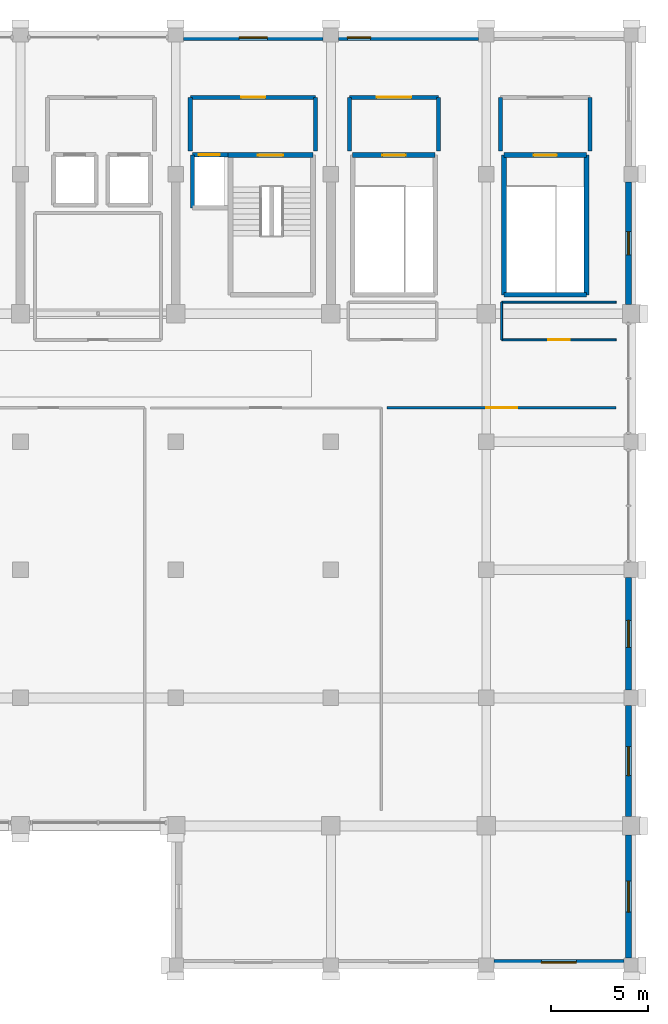
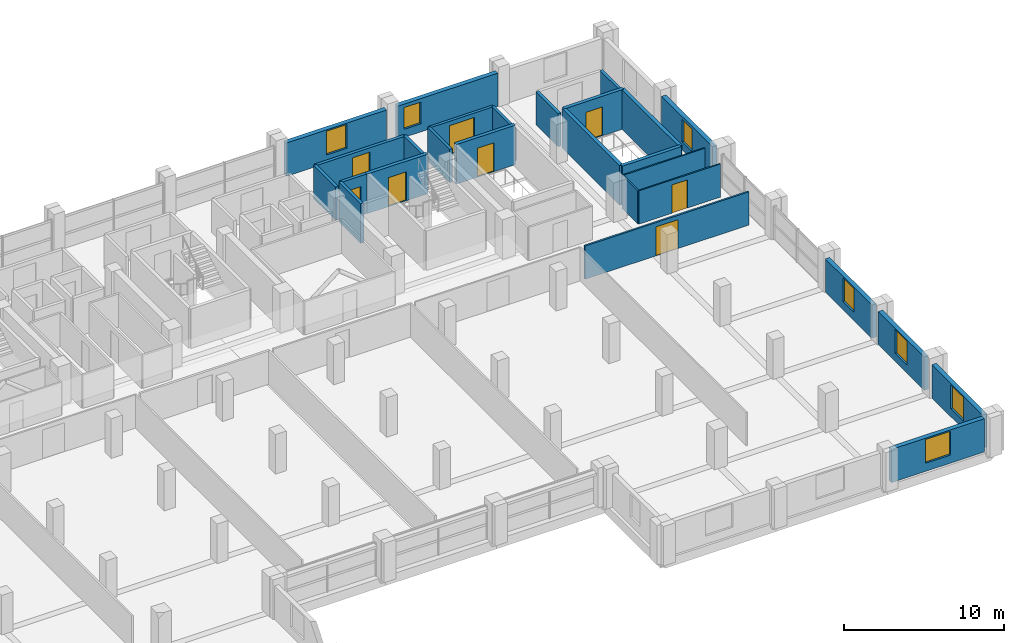
# One storey, part 19 of 21: 27 walls, 8 doors, 7 windows, 15 openings.
"""IFC4 building model written with IfcOpenShell, lengths in metres."""

from ifc_helpers import new_model, si_unit, direction, frame, frame_2d, origin, place, context, subcontext, project, spatial, rectangle, extrude, material, layer, layer_set, type_object, element, fill, save


model = new_model("IFC4")

# Units and contexts
model_context = context("Model", 3, precision=1e-05, world=origin(), true_north=direction((0.0, 1.0)))
body_context = subcontext(model_context, "Body", "Model", "MODEL_VIEW")
ifc_project = project(units=[si_unit("LENGTHUNIT", "METRE"), si_unit("AREAUNIT", "SQUARE_METRE"), si_unit("VOLUMEUNIT", "CUBIC_METRE"), si_unit("PLANEANGLEUNIT", "RADIAN"), si_unit("MASSUNIT", "GRAM", prefix="KILO")], contexts=[model_context])

# Site, building, storey
site_placement = place(None, origin())
site = spatial("IfcSite", under=ifc_project, at=site_placement, CompositionType="ELEMENT")
building_placement = place(site_placement, origin())
building = spatial("IfcBuilding", under=site, at=building_placement, Name="Akrevak Sports Hall", CompositionType="ELEMENT")
storey_placement = place(building_placement, frame((0.0, 0.0, 37.300048828125)))
storey = spatial("IfcBuildingStorey", under=building, at=storey_placement, Name="L08", CompositionType="ELEMENT", Elevation=37.300048828125)

# Wall, opening, window
ifc_material_1 = material(Name="Limestone Ashlar", Category="stone")
ifc_layer_1 = layer(ifc_material_1, 0.070068359375, Name="Limestone Ashlar")
ifc_material_2 = material(Name="Mineral Wool Thermal Insulation", Category="insulation")
ifc_layer_2 = layer(ifc_material_2, 0.090087890625, Name="Mineral Wool Thermal Insulation")
ifc_material_3 = material(Name="Concrete C40/50", Category="concrete")
ifc_layer_3 = layer(ifc_material_3, 0.159912109375, Name="Concrete C40/50")
ifc_layer_set_1 = layer_set([ifc_layer_1, ifc_layer_2, ifc_layer_3], Name="Limestone Ashlar / Mineral Wool Thermal Insulation / Concrete C40/50")
wall_type_1 = type_object("IfcWallType", Name="ARC-WL-EXT-320", PredefinedType="SOLIDWALL", material=ifc_layer_set_1)
wall_1_placement = place(storey_placement, frame((108.39990234375, 21.760009765625, 0.0), z_axis=(0.0, 0.0, 1.0), x_axis=(1.0, 0.0, 0.0)))
wall_1 = element("IfcWall", 1, at=wall_1_placement, inside=storey, type_object=wall_type_1, Name="Tower Stone Facade Wall L08-S11", PredefinedType="SOLIDWALL", context=body_context, shape_type="SweptSolid", body=[
    extrude(rectangle(XDim=6.7001953125, YDim=0.320068359375, at=frame_2d((3.35009765625, 0.0))), origin(), (0.0, 0.0, 1.0), 2.530029296875),
])
opening_1_placement = place(wall_1_placement, frame((2.449951171875, 0.0, 0.6201171875)))
opening_1 = element("IfcOpeningElement", 2, at=opening_1_placement, cuts=wall_1, Name="Opening WN-54", PredefinedType="OPENING", context=body_context, shape_type="SweptSolid", body=[
    extrude(rectangle(XDim=1.800048828125, YDim=1.81005859375, at=frame_2d((0.89990234375, 0.905029296875))), frame((0.0, 0.171875, 0.0), z_axis=(0.0, -1.0, 0.0), x_axis=(1.0, 0.0, 0.0)), (0.0, 0.0, 1.0), 0.343994140625),
])
ifc_material_4 = material(Name="Thermally Broken Bronze Frame & Double Low-E Glass", Category="glass")
window_type_1 = type_object("IfcWindowType", Name="ARC-WIN-SZ-1800x1810", PartitioningType="SINGLE_PANEL", PredefinedType="WINDOW", material=ifc_material_4)
window_1_placement = place(opening_1_placement, origin())
window_1 = element("IfcWindow", 3, at=window_1_placement, inside=storey, type_object=window_type_1, Name="Tower Window L08-S11", OverallHeight=1.81005859375, OverallWidth=1.800048828125, PartitioningType="SINGLE_PANEL", PredefinedType="WINDOW", context=body_context, shape_type="SweptSolid", body=[
    extrude(rectangle(XDim=1.800048828125, YDim=1.81005859375, at=frame_2d((0.89990234375, 0.905029296875))), frame((0.0, 0.030029296875, 0.0), z_axis=(0.0, -1.0, 0.0), x_axis=(1.0, 0.0, 0.0)), (0.0, 0.0, 1.0), 0.06005859375),
])
fill(opening_1, window_1)

wall_2_placement = place(storey_placement, frame((115.340087890625, 22.0, 0.0), z_axis=(0.0, 0.0, 1.0), x_axis=(0.0, 1.0, 0.0)))
wall_2 = element("IfcWall", 4, at=wall_2_placement, inside=storey, type_object=wall_type_1, Name="Tower Stone Facade Wall L08-E12", PredefinedType="SOLIDWALL", context=body_context, shape_type="SweptSolid", body=[
    extrude(rectangle(XDim=6.324951171875, YDim=0.320068359375, at=frame_2d((3.16259765625, 0.0))), origin(), (0.0, 0.0, 1.0), 2.530029296875),
])
opening_2_placement = place(wall_2_placement, frame((2.362548828125, 0.0, 0.6201171875)))
opening_2 = element("IfcOpeningElement", 5, at=opening_2_placement, cuts=wall_2, Name="Opening WN-57", PredefinedType="OPENING", context=body_context, shape_type="SweptSolid", body=[
    extrude(rectangle(XDim=1.60009765625, YDim=1.81005859375, at=frame_2d((0.800048828125, 0.905029296875))), frame((0.0, 0.171875, 0.0), z_axis=(0.0, -1.0, 0.0), x_axis=(1.0, 0.0, 0.0)), (0.0, 0.0, 1.0), 0.343994140625),
])
window_type_2 = type_object("IfcWindowType", Name="ARC-WIN-SZ-1600x1810", PartitioningType="SINGLE_PANEL", PredefinedType="WINDOW", material=ifc_material_4)
window_2_placement = place(opening_2_placement, origin())
window_2 = element("IfcWindow", 6, at=window_2_placement, inside=storey, type_object=window_type_2, Name="Tower Window L08-E12", OverallHeight=1.81005859375, OverallWidth=1.60009765625, PartitioningType="SINGLE_PANEL", PredefinedType="WINDOW", context=body_context, shape_type="SweptSolid", body=[
    extrude(rectangle(XDim=1.60009765625, YDim=1.81005859375, at=frame_2d((0.800048828125, 0.905029296875))), frame((0.0, 0.030029296875, 0.0), z_axis=(0.0, -1.0, 0.0), x_axis=(1.0, 0.0, 0.0)), (0.0, 0.0, 1.0), 0.06005859375),
])
fill(opening_2, window_2)

wall_3_placement = place(storey_placement, frame((115.340087890625, 29.27490234375, 0.0), z_axis=(0.0, 0.0, 1.0), x_axis=(0.0, 1.0, 0.0)))
wall_3 = element("IfcWall", 7, at=wall_3_placement, inside=storey, type_object=wall_type_1, Name="Tower Stone Facade Wall L08-E13", PredefinedType="SOLIDWALL", context=body_context, shape_type="SweptSolid", body=[
    extrude(rectangle(XDim=5.72509765625, YDim=0.320068359375, at=frame_2d((2.862548828125, 0.0))), origin(), (0.0, 0.0, 1.0), 2.530029296875),
])
opening_3_placement = place(wall_3_placement, frame((2.112548828125, 0.0, 0.6201171875)))
opening_3 = element("IfcOpeningElement", 8, at=opening_3_placement, cuts=wall_3, Name="Opening WN-48", PredefinedType="OPENING", context=body_context, shape_type="SweptSolid", body=[
    extrude(rectangle(XDim=1.5, YDim=1.81005859375, at=frame_2d((0.75, 0.905029296875))), frame((0.0, 0.171875, 0.0), z_axis=(0.0, -1.0, 0.0), x_axis=(1.0, 0.0, 0.0)), (0.0, 0.0, 1.0), 0.343994140625),
])
window_type_3 = type_object("IfcWindowType", Name="ARC-WIN-SZ-1500x1810", PartitioningType="SINGLE_PANEL", PredefinedType="WINDOW", material=ifc_material_4)
window_3_placement = place(opening_3_placement, origin())
window_3 = element("IfcWindow", 9, at=window_3_placement, inside=storey, type_object=window_type_3, Name="Tower Window L08-E13", OverallHeight=1.81005859375, OverallWidth=1.5, PartitioningType="SINGLE_PANEL", PredefinedType="WINDOW", context=body_context, shape_type="SweptSolid", body=[
    extrude(rectangle(XDim=1.5, YDim=1.81005859375, at=frame_2d((0.75, 0.905029296875))), frame((0.0, 0.030029296875, 0.0), z_axis=(0.0, -1.0, 0.0), x_axis=(1.0, 0.0, 0.0)), (0.0, 0.0, 1.0), 0.06005859375),
])
fill(opening_3, window_3)

wall_4_placement = place(storey_placement, frame((115.340087890625, 35.800048828125, 0.0), z_axis=(0.0, 0.0, 1.0), x_axis=(0.0, 1.0, 0.0)))
wall_4 = element("IfcWall", 10, at=wall_4_placement, inside=storey, type_object=wall_type_1, Name="Tower Stone Facade Wall L08-E14", PredefinedType="SOLIDWALL", context=body_context, shape_type="SweptSolid", body=[
    extrude(rectangle(XDim=5.800048828125, YDim=0.320068359375, at=frame_2d((2.89990234375, 0.0))), origin(), (0.0, 0.0, 1.0), 2.530029296875),
])
opening_4_placement = place(wall_4_placement, frame((2.199951171875, 0.0, 0.6201171875)))
opening_4 = element("IfcOpeningElement", 11, at=opening_4_placement, cuts=wall_4, Name="Opening WN-49", PredefinedType="OPENING", context=body_context, shape_type="SweptSolid", body=[
    extrude(rectangle(XDim=1.39990234375, YDim=1.81005859375, at=frame_2d((0.699951171875, 0.905029296875))), frame((0.0, 0.171875, 0.0), z_axis=(0.0, -1.0, 0.0), x_axis=(1.0, 0.0, 0.0)), (0.0, 0.0, 1.0), 0.343994140625),
])
window_type_4 = type_object("IfcWindowType", Name="ARC-WIN-SZ-1400x1810", PartitioningType="SINGLE_PANEL", PredefinedType="WINDOW", material=ifc_material_4)
window_4_placement = place(opening_4_placement, origin())
window_4 = element("IfcWindow", 12, at=window_4_placement, inside=storey, type_object=window_type_4, Name="Tower Window L08-E14", OverallHeight=1.81005859375, OverallWidth=1.39990234375, PartitioningType="SINGLE_PANEL", PredefinedType="WINDOW", context=body_context, shape_type="SweptSolid", body=[
    extrude(rectangle(XDim=1.39990234375, YDim=1.81005859375, at=frame_2d((0.699951171875, 0.905029296875))), frame((0.0, 0.030029296875, 0.0), z_axis=(0.0, -1.0, 0.0), x_axis=(1.0, 0.0, 0.0)), (0.0, 0.0, 1.0), 0.06005859375),
])
fill(opening_4, window_4)

wall_5_placement = place(storey_placement, frame((115.340087890625, 55.675048828125, 0.0), z_axis=(0.0, 0.0, 1.0), x_axis=(0.0, 1.0, 0.0)))
wall_5 = element("IfcWall", 13, at=wall_5_placement, inside=storey, type_object=wall_type_1, Name="Tower Stone Facade Wall L08-E17", PredefinedType="SOLIDWALL", context=body_context, shape_type="SweptSolid", body=[
    extrude(rectangle(XDim=6.324951171875, YDim=0.320068359375, at=frame_2d((3.16259765625, 0.0))), origin(), (0.0, 0.0, 1.0), 2.530029296875),
])
opening_5_placement = place(wall_5_placement, frame((2.5625, 0.0, 0.6201171875)))
opening_5 = element("IfcOpeningElement", 14, at=opening_5_placement, cuts=wall_5, Name="Opening WN-13", PredefinedType="OPENING", context=body_context, shape_type="SweptSolid", body=[
    extrude(rectangle(XDim=1.199951171875, YDim=1.699951171875, at=frame_2d((0.60009765625, 0.85009765625))), frame((0.0, 0.171875, 0.0), z_axis=(0.0, -1.0, 0.0), x_axis=(1.0, 0.0, 0.0)), (0.0, 0.0, 1.0), 0.343994140625),
])
window_type_5 = type_object("IfcWindowType", Name="ARC-WIN-TW-120x170", PartitioningType="SINGLE_PANEL", PredefinedType="WINDOW", material=ifc_material_4)
window_5_placement = place(opening_5_placement, origin())
window_5 = element("IfcWindow", 15, at=window_5_placement, inside=storey, type_object=window_type_5, Name="Tower Window L08-E17", OverallHeight=1.699951171875, OverallWidth=1.199951171875, PartitioningType="SINGLE_PANEL", PredefinedType="WINDOW", context=body_context, shape_type="SweptSolid", body=[
    extrude(rectangle(XDim=1.199951171875, YDim=1.699951171875, at=frame_2d((0.60009765625, 0.85009765625))), frame((0.0, 0.030029296875, 0.0), z_axis=(0.0, -1.0, 0.0), x_axis=(1.0, 0.0, 0.0)), (0.0, 0.0, 1.0), 0.06005859375),
])
fill(opening_5, window_5)

wall_6_placement = place(storey_placement, frame((107.60009765625, 69.43994140625, 0.0), z_axis=(0.0, 0.0, 1.0), x_axis=(-1.0, 0.0, 0.0)))
wall_6 = element("IfcWall", 16, at=wall_6_placement, inside=storey, type_object=wall_type_1, Name="Tower Stone Facade Wall L08-N20", PredefinedType="SOLIDWALL", context=body_context, shape_type="SweptSolid", body=[
    extrude(rectangle(XDim=7.2001953125, YDim=0.320068359375, at=frame_2d((3.60009765625, 0.0))), origin(), (0.0, 0.0, 1.0), 2.530029296875),
])
opening_6_placement = place(wall_6_placement, frame((5.550048828125, 0.0, 0.6201171875)))
opening_6 = element("IfcOpeningElement", 17, at=opening_6_placement, cuts=wall_6, Name="Opening WN-45", PredefinedType="OPENING", context=body_context, shape_type="SweptSolid", body=[
    extrude(rectangle(XDim=1.199951171875, YDim=1.64990234375, at=frame_2d((0.60009765625, 0.824951171875))), frame((0.0, 0.171875, 0.0), z_axis=(0.0, -1.0, 0.0), x_axis=(1.0, 0.0, 0.0)), (0.0, 0.0, 1.0), 0.343994140625),
])
window_type_6 = type_object("IfcWindowType", Name="ARC-WIN-SZ-1200x1650", PartitioningType="SINGLE_PANEL", PredefinedType="WINDOW", material=ifc_material_4)
window_6_placement = place(opening_6_placement, origin())
window_6 = element("IfcWindow", 18, at=window_6_placement, inside=storey, type_object=window_type_6, Name="Tower Window L08-N20", OverallHeight=1.64990234375, OverallWidth=1.199951171875, PartitioningType="SINGLE_PANEL", PredefinedType="WINDOW", context=body_context, shape_type="SweptSolid", body=[
    extrude(rectangle(XDim=1.199951171875, YDim=1.64990234375, at=frame_2d((0.60009765625, 0.824951171875))), frame((0.0, 0.030029296875, 0.0), z_axis=(0.0, -1.0, 0.0), x_axis=(1.0, 0.0, 0.0)), (0.0, 0.0, 1.0), 0.06005859375),
])
fill(opening_6, window_6)

wall_7_placement = place(storey_placement, frame((99.60009765625, 69.43994140625, 0.0), z_axis=(0.0, 0.0, 1.0), x_axis=(-1.0, 0.0, 0.0)))
wall_7 = element("IfcWall", 19, at=wall_7_placement, inside=storey, type_object=wall_type_1, Name="Tower Stone Facade Wall L08-N21", PredefinedType="SOLIDWALL", context=body_context, shape_type="SweptSolid", body=[
    extrude(rectangle(XDim=7.2001953125, YDim=0.320068359375, at=frame_2d((3.60009765625, 0.0))), origin(), (0.0, 0.0, 1.0), 2.530029296875),
])
opening_7_placement = place(wall_7_placement, frame((2.875, 0.0, 0.6201171875)))
opening_7 = element("IfcOpeningElement", 20, at=opening_7_placement, cuts=wall_7, Name="Opening WN-51", PredefinedType="OPENING", context=body_context, shape_type="SweptSolid", body=[
    extrude(rectangle(XDim=1.449951171875, YDim=1.81005859375, at=frame_2d((0.72509765625, 0.905029296875))), frame((0.0, 0.171875, 0.0), z_axis=(0.0, -1.0, 0.0), x_axis=(1.0, 0.0, 0.0)), (0.0, 0.0, 1.0), 0.343994140625),
])
window_type_7 = type_object("IfcWindowType", Name="ARC-WIN-SZ-1450x1810", PartitioningType="SINGLE_PANEL", PredefinedType="WINDOW", material=ifc_material_4)
window_7_placement = place(opening_7_placement, origin())
window_7 = element("IfcWindow", 21, at=window_7_placement, inside=storey, type_object=window_type_7, Name="Tower Window L08-N21", OverallHeight=1.81005859375, OverallWidth=1.449951171875, PartitioningType="SINGLE_PANEL", PredefinedType="WINDOW", context=body_context, shape_type="SweptSolid", body=[
    extrude(rectangle(XDim=1.449951171875, YDim=1.81005859375, at=frame_2d((0.72509765625, 0.905029296875))), frame((0.0, 0.030029296875, 0.0), z_axis=(0.0, -1.0, 0.0), x_axis=(1.0, 0.0, 0.0)), (0.0, 0.0, 1.0), 0.06005859375),
])
fill(opening_7, window_7)

# Wall, opening, door
ifc_material_5 = material(Name="Sanitary Cubicle Partition", Category="gypsum")
ifc_layer_4 = layer(ifc_material_5, 0.10009765625, Name="Sanitary Cubicle Partition")
ifc_layer_set_2 = layer_set([ifc_layer_4], Name="Sanitary Cubicle Partition")
wall_type_2 = type_object("IfcWallType", Name="ARC-WL-PRT-100", PredefinedType="PARTITIONING", material=ifc_layer_set_2)
wall_8_placement = place(storey_placement, frame((108.800048828125, 53.85009765625, 0.0), z_axis=(0.0, 0.0, 1.0), x_axis=(1.0, 0.0, 0.0)))
wall_8 = element("IfcWall", 22, at=wall_8_placement, inside=storey, type_object=wall_type_2, Name="Interior Partition International Athletics Office L08-E3 (S)", PredefinedType="PARTITIONING", context=body_context, shape_type="SweptSolid", body=[
    extrude(rectangle(XDim=5.89990234375, YDim=0.10009765625, at=frame_2d((2.949951171875, 0.0))), origin(), (0.0, 0.0, 1.0), 2.530029296875),
])
opening_8_placement = place(wall_8_placement, frame((2.39990234375, 0.0, 0.0)))
opening_8 = element("IfcOpeningElement", 23, at=opening_8_placement, cuts=wall_8, Name="Opening ID-04", PredefinedType="OPENING", context=body_context, shape_type="SweptSolid", body=[
    extrude(rectangle(XDim=1.10009765625, YDim=2.14990234375, at=frame_2d((0.550048828125, 1.074951171875))), frame((0.0, 0.06201171875, 0.0), z_axis=(0.0, -1.0, 0.0), x_axis=(1.0, 0.0, 0.0)), (0.0, 0.0, 1.0), 0.1240234375),
])
ifc_material_6 = material(Name="Hardwood Oak Acoustic Leaf", Category="wood")
door_type_1 = type_object("IfcDoorType", Name="ARC-DR-OFF-110x215", OperationType="NOTDEFINED", PredefinedType="DOOR", material=ifc_material_6)
door_1_placement = place(opening_8_placement, origin())
door_1 = element("IfcDoor", 24, at=door_1_placement, inside=storey, type_object=door_type_1, Name="Door to International Athletics Office L08-E3", OperationType="SINGLE_SWING_LEFT", OverallHeight=2.14990234375, OverallWidth=1.10009765625, PredefinedType="DOOR", context=body_context, shape_type="SweptSolid", body=[
    extrude(rectangle(XDim=1.10009765625, YDim=2.14990234375, at=frame_2d((0.550048828125, 1.074951171875))), frame((0.0, 0.02490234375, 0.0), z_axis=(0.0, -1.0, 0.0), x_axis=(1.0, 0.0, 0.0)), (0.0, 0.0, 1.0), 0.050048828125),
])
fill(opening_8, door_1)

# Walls
wall_9_placement = place(storey_placement, frame((108.800048828125, 55.800048828125, 0.0), z_axis=(0.0, 0.0, 1.0), x_axis=(1.0, 0.0, 0.0)))
element("IfcWall", 25, at=wall_9_placement, inside=storey, type_object=wall_type_2, Name="Interior Partition International Athletics Office L08-E3 (N)", PredefinedType="PARTITIONING", context=body_context, shape_type="SweptSolid", body=[
    extrude(rectangle(XDim=5.89990234375, YDim=0.10009765625, at=frame_2d((2.949951171875, 0.0))), origin(), (0.0, 0.0, 1.0), 2.530029296875),
])
wall_10_placement = place(storey_placement, frame((108.800048828125, 53.85009765625, 0.0), z_axis=(0.0, 0.0, 1.0), x_axis=(0.0, 1.0, 0.0)))
element("IfcWall", 26, at=wall_10_placement, inside=storey, type_object=wall_type_2, Name="Interior Partition International Athletics Office L08-E3 (W)", PredefinedType="PARTITIONING", context=body_context, shape_type="SweptSolid", body=[
    extrude(rectangle(XDim=1.949951171875, YDim=0.10009765625, at=frame_2d((0.97509765625, 0.0))), origin(), (0.0, 0.0, 1.0), 2.530029296875),
])

# Wall, opening, door
ifc_material_7 = material(Name="Acoustic Metal Stud Partition", Category="gypsum")
ifc_layer_5 = layer(ifc_material_7, 0.1298828125, Name="Acoustic Metal Stud Partition")
ifc_layer_set_3 = layer_set([ifc_layer_5], Name="Acoustic Metal Stud Partition")
wall_type_3 = type_object("IfcWallType", Name="ARC-WL-PRT-130", PredefinedType="PARTITIONING", material=ifc_layer_set_3)
wall_11_placement = place(storey_placement, frame((102.89990234375, 50.35009765625, 0.0), z_axis=(0.0, 0.0, 1.0), x_axis=(1.0, 0.0, 0.0)))
wall_11 = element("IfcWall", 27, at=wall_11_placement, inside=storey, type_object=wall_type_3, Name="Interior Partition Executive Board Conference Room (L08) (N)", PredefinedType="PARTITIONING", context=body_context, shape_type="SweptSolid", body=[
    extrude(rectangle(XDim=11.800048828125, YDim=0.1298828125, at=frame_2d((5.89990234375, 0.0))), origin(), (0.0, 0.0, 1.0), 2.530029296875),
])
opening_9_placement = place(wall_11_placement, frame((5.10009765625, 0.0, 0.0)))
opening_9 = element("IfcOpeningElement", 28, at=opening_9_placement, cuts=wall_11, Name="Opening ID-03", PredefinedType="OPENING", context=body_context, shape_type="SweptSolid", body=[
    extrude(rectangle(XDim=1.60009765625, YDim=2.199951171875, at=frame_2d((0.800048828125, 1.10009765625))), frame((0.0, 0.076904296875, 0.0), z_axis=(0.0, -1.0, 0.0), x_axis=(1.0, 0.0, 0.0)), (0.0, 0.0, 1.0), 0.15380859375),
])
ifc_material_8 = material(Name="Hardwood Oak & Safety Glass", Category="wood")
door_type_2 = type_object("IfcDoorType", Name="ARC-DR-HALL-160x220", OperationType="DOUBLE_DOOR_SINGLE_SWING", PredefinedType="DOOR", material=ifc_material_8)
door_2_placement = place(opening_9_placement, origin())
door_2 = element("IfcDoor", 29, at=door_2_placement, inside=storey, type_object=door_type_2, Name="Door to Executive Board Conference Room (L08)", OperationType="DOUBLE_DOOR_SINGLE_SWING", OverallHeight=2.199951171875, OverallWidth=1.60009765625, PredefinedType="DOOR", context=body_context, shape_type="SweptSolid", body=[
    extrude(rectangle(XDim=1.60009765625, YDim=2.199951171875, at=frame_2d((0.800048828125, 1.10009765625))), frame((0.0, 0.02490234375, 0.0), z_axis=(0.0, -1.0, 0.0), x_axis=(1.0, 0.0, 0.0)), (0.0, 0.0, 1.0), 0.050048828125),
])
fill(opening_9, door_2)

ifc_material_9 = material(Name="Autoclaved Aerated Masonry Block", Category="masonry")
ifc_layer_6 = layer(ifc_material_9, 0.199951171875, Name="Autoclaved Aerated Masonry Block")
ifc_layer_set_4 = layer_set([ifc_layer_6], Name="Autoclaved Aerated Masonry Block")
wall_type_4 = type_object("IfcWallType", Name="ARC-WL-PRT-200", PredefinedType="PARTITIONING", material=ifc_layer_set_4)
wall_12_placement = place(storey_placement, frame((100.949951171875, 66.35009765625, 0.0), z_axis=(0.0, 0.0, 1.0), x_axis=(1.0, 0.0, 0.0)))
wall_12 = element("IfcWall", 30, at=wall_12_placement, inside=storey, type_object=wall_type_4, Name="Interior Partition East Wing Stair ST10 Vestibule L08 (N)", PredefinedType="PARTITIONING", context=body_context, shape_type="SweptSolid", body=[
    extrude(rectangle(XDim=4.60009765625, YDim=0.199951171875, at=frame_2d((2.300048828125, 0.0))), origin(), (0.0, 0.0, 1.0), 2.530029296875),
])
opening_10_placement = place(wall_12_placement, frame((1.39990234375, 0.0, 0.0)))
opening_10 = element("IfcOpeningElement", 31, at=opening_10_placement, cuts=wall_12, Name="Opening FD-02", PredefinedType="OPENING", context=body_context, shape_type="SweptSolid", body=[
    extrude(rectangle(XDim=1.800048828125, YDim=2.199951171875, at=frame_2d((0.89990234375, 1.10009765625))), frame((0.0, 0.11181640625, 0.0), z_axis=(0.0, -1.0, 0.0), x_axis=(1.0, 0.0, 0.0)), (0.0, 0.0, 1.0), 0.223876953125),
])
ifc_material_10 = material(Name="Fire-Rated Galvanized Door Steel", Category="steel")
door_type_3 = type_object("IfcDoorType", Name="ARC-DR-FIRE-180x220", OperationType="DOUBLE_DOOR_SINGLE_SWING", PredefinedType="DOOR", material=ifc_material_10)
door_3_placement = place(opening_10_placement, frame((1.800048828125, 0.0, 0.0), z_axis=(0.0, 0.0, 1.0), x_axis=(-1.0, 0.0, 0.0)))
door_3 = element("IfcDoor", 32, at=door_3_placement, inside=storey, type_object=door_type_3, Name="Door to East Wing Stair ST10 Vestibule L08", OperationType="DOUBLE_DOOR_SINGLE_SWING", OverallHeight=2.199951171875, OverallWidth=1.800048828125, PredefinedType="DOOR", context=body_context, shape_type="SweptSolid", body=[
    extrude(rectangle(XDim=1.800048828125, YDim=2.199951171875, at=frame_2d((0.89990234375, 1.10009765625))), frame((0.0, 0.02490234375, 0.0), z_axis=(0.0, -1.0, 0.0), x_axis=(1.0, 0.0, 0.0)), (0.0, 0.0, 1.0), 0.050048828125),
])
fill(opening_10, door_3)

# Walls
for number, where, z_axis, x_axis, name in (
    (33, (100.949951171875, 63.60009765625, 0.0), (0.0, 0.0, 1.0), (0.0, 1.0, 0.0), "Interior Partition East Wing Stair ST10 Vestibule L08 (W)"),
    (34, (105.550048828125, 63.60009765625, 0.0), (0.0, 0.0, 1.0), (0.0, 1.0, 0.0), "Interior Partition East Wing Stair ST10 Vestibule L08 (E)"),
    (35, (108.75, 63.60009765625, 0.0), (0.0, 0.0, 1.0), (0.0, 1.0, 0.0), "Interior Partition East Transfer Stair ST11 Vestibule L08 (W)"),
    (36, (113.35009765625, 63.60009765625, 0.0), (0.0, 0.0, 1.0), (0.0, 1.0, 0.0), "Interior Partition East Transfer Stair ST11 Vestibule L08 (E)"),
):
    element("IfcWall", number, at=place(storey_placement, frame(where, z_axis=z_axis, x_axis=x_axis)), inside=storey, type_object=wall_type_4, Name=name, PredefinedType="PARTITIONING", context=body_context, shape_type="SweptSolid", body=[
        extrude(rectangle(XDim=2.75, YDim=0.199951171875, at=frame_2d((1.375, 0.0))), origin(), (0.0, 0.0, 1.0), 2.530029296875),
    ])

# Wall, opening, door
ifc_layer_7 = layer(ifc_material_3, 0.219970703125, Name="Concrete C40/50")
ifc_layer_set_5 = layer_set([ifc_layer_7], Name="Concrete C40/50")
wall_type_5 = type_object("IfcWallType", Name="ARC-WL-PRT-220", PredefinedType="PARTITIONING", material=ifc_layer_set_5)
wall_13_placement = place(storey_placement, frame((92.75, 66.35009765625, 0.0), z_axis=(0.0, 0.0, 1.0), x_axis=(1.0, 0.0, 0.0)))
wall_13 = element("IfcWall", 37, at=wall_13_placement, inside=storey, type_object=wall_type_5, Name="Interior Partition Firefighting Lobby East L08 (N)", PredefinedType="PARTITIONING", context=body_context, shape_type="SweptSolid", body=[
    extrude(rectangle(XDim=6.449951171875, YDim=0.219970703125, at=frame_2d((3.22509765625, 0.0))), origin(), (0.0, 0.0, 1.0), 2.530029296875),
])
opening_11_placement = place(wall_13_placement, frame((2.625, 0.0, 0.0)))
opening_11 = element("IfcOpeningElement", 38, at=opening_11_placement, cuts=wall_13, Name="Opening FD-01", PredefinedType="OPENING", context=body_context, shape_type="SweptSolid", body=[
    extrude(rectangle(XDim=1.25, YDim=2.199951171875, at=frame_2d((0.625, 1.10009765625))), frame((0.0, 0.1220703125, 0.0), z_axis=(0.0, -1.0, 0.0), x_axis=(1.0, 0.0, 0.0)), (0.0, 0.0, 1.0), 0.243896484375),
])
door_type_4 = type_object("IfcDoorType", Name="ARC-DR-FFL-125x220", OperationType="NOTDEFINED", PredefinedType="DOOR", material=ifc_material_10)
door_4_placement = place(opening_11_placement, frame((1.25, 0.0, 0.0), z_axis=(0.0, 0.0, 1.0), x_axis=(-1.0, 0.0, 0.0)))
door_4 = element("IfcDoor", 39, at=door_4_placement, inside=storey, type_object=door_type_4, Name="Door to Firefighting Lobby East L08", OperationType="SINGLE_SWING_LEFT", OverallHeight=2.199951171875, OverallWidth=1.25, PredefinedType="DOOR", context=body_context, shape_type="SweptSolid", body=[
    extrude(rectangle(XDim=1.25, YDim=2.199951171875, at=frame_2d((0.625, 1.10009765625))), frame((0.0, 0.02490234375, 0.0), z_axis=(0.0, -1.0, 0.0), x_axis=(1.0, 0.0, 0.0)), (0.0, 0.0, 1.0), 0.050048828125),
])
fill(opening_11, door_4)

# Walls
for number, where, z_axis, x_axis, name in (
    (40, (92.75, 63.60009765625, 0.0), (0.0, 0.0, 1.0), (0.0, 1.0, 0.0), "Interior Partition Firefighting Lobby East L08 (W)"),
    (41, (99.199951171875, 63.60009765625, 0.0), (0.0, 0.0, 1.0), (0.0, 1.0, 0.0), "Interior Partition Firefighting Lobby East L08 (E)"),
):
    element("IfcWall", number, at=place(storey_placement, frame(where, z_axis=z_axis, x_axis=x_axis)), inside=storey, type_object=wall_type_5, Name=name, PredefinedType="PARTITIONING", context=body_context, shape_type="SweptSolid", body=[
        extrude(rectangle(XDim=2.75, YDim=0.219970703125, at=frame_2d((1.375, 0.0))), origin(), (0.0, 0.0, 1.0), 2.530029296875),
    ])

# Wall, opening, door
ifc_material_11 = material(Name="Concrete C50/60", Category="concrete")
ifc_layer_8 = layer(ifc_material_11, 0.219970703125, Name="Concrete C50/60")
ifc_layer_set_6 = layer_set([ifc_layer_8], Name="Concrete C50/60")
wall_type_6 = type_object("IfcWallType", Name="ARC-WL-SHAFT-220", PredefinedType="SHEAR", material=ifc_layer_set_6)
wall_14_placement = place(storey_placement, frame((94.699951171875, 63.389892578125, 0.0), z_axis=(0.0, 0.0, 1.0), x_axis=(-1.0, 0.0, 0.0)))
wall_14 = element("IfcWall", 42, at=wall_14_placement, inside=storey, type_object=wall_type_6, Name="Lift Shaft LF-FF2 Wall N (L08)", PredefinedType="SHEAR", context=body_context, shape_type="SweptSolid", body=[
    extrude(rectangle(XDim=1.83984375, YDim=0.219970703125, at=frame_2d((0.919921875, 0.0))), origin(), (0.0, 0.0, 1.0), 3.010009765625),
])
opening_12_placement = place(wall_14_placement, frame((0.425048828125, 0.0, 0.0)))
opening_12 = element("IfcOpeningElement", 43, at=opening_12_placement, cuts=wall_14, Name="Opening LD-01", PredefinedType="OPENING", context=body_context, shape_type="SweptSolid", body=[
    extrude(rectangle(XDim=1.10009765625, YDim=2.199951171875, at=frame_2d((0.550048828125, 1.10009765625))), frame((0.0, 0.1220703125, 0.0), z_axis=(0.0, -1.0, 0.0), x_axis=(1.0, 0.0, 0.0)), (0.0, 0.0, 1.0), 0.243896484375),
])
ifc_material_12 = material(Name="Brushed Stainless Steel 304", Category="steel")
door_type_5 = type_object("IfcDoorType", Name="ARC-DR-LD-110x220", OperationType="SLIDING_TO_LEFT", PredefinedType="DOOR", material=ifc_material_12)
door_5_placement = place(opening_12_placement, origin())
door_5 = element("IfcDoor", 44, at=door_5_placement, inside=storey, type_object=door_type_5, Name="Lift LF-FF2 Sliding Landing Door (L08)", OperationType="SLIDING_TO_LEFT", OverallHeight=2.199951171875, OverallWidth=1.10009765625, PredefinedType="DOOR", context=body_context, shape_type="SweptSolid", body=[
    extrude(rectangle(XDim=1.10009765625, YDim=2.199951171875, at=frame_2d((0.550048828125, 1.10009765625))), frame((0.0, 0.02490234375, 0.0), z_axis=(0.0, -1.0, 0.0), x_axis=(1.0, 0.0, 0.0)), (0.0, 0.0, 1.0), 0.050048828125),
])
fill(opening_12, door_5)

# Wall
wall_15_placement = place(storey_placement, frame((92.860107421875, 63.389892578125, 0.0), z_axis=(0.0, 0.0, 1.0), x_axis=(0.0, -1.0, 0.0)))
element("IfcWall", 45, at=wall_15_placement, inside=storey, type_object=wall_type_6, Name="Lift Shaft LF-FF2 Wall W (L08)", PredefinedType="SHEAR", context=body_context, shape_type="SweptSolid", body=[
    extrude(rectangle(XDim=2.72998046875, YDim=0.219970703125, at=frame_2d((1.364990234375, 0.0))), origin(), (0.0, 0.0, 1.0), 3.010009765625),
])

# Wall, opening, door
ifc_layer_9 = layer(ifc_material_11, 0.25, Name="Concrete C50/60")
ifc_layer_set_7 = layer_set([ifc_layer_9], Name="Concrete C50/60")
wall_type_7 = type_object("IfcWallType", Name="STR-WL-STAIR-250", PredefinedType="SHEAR", material=ifc_layer_set_7)
wall_16_placement = place(storey_placement, frame((99.074951171875, 63.375, 0.0), z_axis=(0.0, 0.0, 1.0), x_axis=(-1.0, 0.0, 0.0)))
wall_16 = element("IfcWall", 46, at=wall_16_placement, inside=storey, type_object=wall_type_7, Name="Stair Core ST2 Shear Wall N (L08)", PredefinedType="SHEAR", context=body_context, shape_type="SweptSolid", body=[
    extrude(rectangle(XDim=4.375, YDim=0.25, at=frame_2d((2.1875, 0.0))), origin(), (0.0, 0.0, 1.0), 3.010009765625),
])
opening_13_placement = place(wall_16_placement, frame((1.53759765625, 0.0, 0.0)))
opening_13 = element("IfcOpeningElement", 47, at=opening_13_placement, cuts=wall_16, Name="Opening SD-01", PredefinedType="OPENING", context=body_context, shape_type="SweptSolid", body=[
    extrude(rectangle(XDim=1.300048828125, YDim=2.199951171875, at=frame_2d((0.64990234375, 1.10009765625))), frame((0.0, 0.136962890625, 0.0), z_axis=(0.0, -1.0, 0.0), x_axis=(1.0, 0.0, 0.0)), (0.0, 0.0, 1.0), 0.27392578125),
])
door_type_6 = type_object("IfcDoorType", Name="ARC-DR-STAIR-130x220", OperationType="NOTDEFINED", PredefinedType="DOOR", material=ifc_material_10)
door_6_placement = place(opening_13_placement, origin())
door_6 = element("IfcDoor", 48, at=door_6_placement, inside=storey, type_object=door_type_6, Name="Exit Stair ST2 Door (L08)", OperationType="SINGLE_SWING_LEFT", OverallHeight=2.199951171875, OverallWidth=1.300048828125, PredefinedType="DOOR", context=body_context, shape_type="SweptSolid", body=[
    extrude(rectangle(XDim=1.300048828125, YDim=2.199951171875, at=frame_2d((0.64990234375, 1.10009765625))), frame((0.0, 0.02490234375, 0.0), z_axis=(0.0, -1.0, 0.0), x_axis=(1.0, 0.0, 0.0)), (0.0, 0.0, 1.0), 0.050048828125),
])
fill(opening_13, door_6)

wall_17_placement = place(storey_placement, frame((105.375, 63.375, 0.0), z_axis=(0.0, 0.0, 1.0), x_axis=(-1.0, 0.0, 0.0)))
wall_17 = element("IfcWall", 49, at=wall_17_placement, inside=storey, type_object=wall_type_7, Name="Stair Core ST10 Shear Wall N (L08)", PredefinedType="SHEAR", context=body_context, shape_type="SweptSolid", body=[
    extrude(rectangle(XDim=4.25, YDim=0.25, at=frame_2d((2.125, 0.0))), origin(), (0.0, 0.0, 1.0), 3.010009765625),
])
opening_14_placement = place(wall_17_placement, frame((1.52490234375, 0.0, 0.0)))
opening_14 = element("IfcOpeningElement", 50, at=opening_14_placement, cuts=wall_17, Name="Opening SD-02", PredefinedType="OPENING", context=body_context, shape_type="SweptSolid", body=[
    extrude(rectangle(XDim=1.199951171875, YDim=2.199951171875, at=frame_2d((0.60009765625, 1.10009765625))), frame((0.0, 0.136962890625, 0.0), z_axis=(0.0, -1.0, 0.0), x_axis=(1.0, 0.0, 0.0)), (0.0, 0.0, 1.0), 0.27392578125),
])
door_type_7 = type_object("IfcDoorType", Name="ARC-DR-STAIR-120x220", OperationType="NOTDEFINED", PredefinedType="DOOR", material=ifc_material_10)
door_7_placement = place(opening_14_placement, origin())
door_7 = element("IfcDoor", 51, at=door_7_placement, inside=storey, type_object=door_type_7, Name="Exit Stair ST10 Door (L08)", OperationType="SINGLE_SWING_LEFT", OverallHeight=2.199951171875, OverallWidth=1.199951171875, PredefinedType="DOOR", context=body_context, shape_type="SweptSolid", body=[
    extrude(rectangle(XDim=1.199951171875, YDim=2.199951171875, at=frame_2d((0.60009765625, 1.10009765625))), frame((0.0, 0.02490234375, 0.0), z_axis=(0.0, -1.0, 0.0), x_axis=(1.0, 0.0, 0.0)), (0.0, 0.0, 1.0), 0.050048828125),
])
fill(opening_14, door_7)

# Wall
wall_18_placement = place(storey_placement, frame((108.925048828125, 56.175048828125, 0.0), z_axis=(0.0, 0.0, 1.0), x_axis=(1.0, 0.0, 0.0)))
element("IfcWall", 52, at=wall_18_placement, inside=storey, type_object=wall_type_7, Name="Stair Core ST11 Shear Wall S (L08)", PredefinedType="SHEAR", context=body_context, shape_type="SweptSolid", body=[
    extrude(rectangle(XDim=4.25, YDim=0.25, at=frame_2d((2.125, 0.0))), origin(), (0.0, 0.0, 1.0), 3.010009765625),
])

# Wall, opening, door
wall_19_placement = place(storey_placement, frame((113.175048828125, 63.375, 0.0), z_axis=(0.0, 0.0, 1.0), x_axis=(-1.0, 0.0, 0.0)))
wall_19 = element("IfcWall", 53, at=wall_19_placement, inside=storey, type_object=wall_type_7, Name="Stair Core ST11 Shear Wall N (L08)", PredefinedType="SHEAR", context=body_context, shape_type="SweptSolid", body=[
    extrude(rectangle(XDim=4.25, YDim=0.25, at=frame_2d((2.125, 0.0))), origin(), (0.0, 0.0, 1.0), 3.010009765625),
])
opening_15_placement = place(wall_19_placement, frame((1.52490234375, 0.0, 0.0)))
opening_15 = element("IfcOpeningElement", 54, at=opening_15_placement, cuts=wall_19, Name="Opening SD-02", PredefinedType="OPENING", context=body_context, shape_type="SweptSolid", body=[
    extrude(rectangle(XDim=1.199951171875, YDim=2.199951171875, at=frame_2d((0.60009765625, 1.10009765625))), frame((0.0, 0.136962890625, 0.0), z_axis=(0.0, -1.0, 0.0), x_axis=(1.0, 0.0, 0.0)), (0.0, 0.0, 1.0), 0.27392578125),
])
door_8_placement = place(opening_15_placement, origin())
door_8 = element("IfcDoor", 55, at=door_8_placement, inside=storey, type_object=door_type_7, Name="Exit Stair ST11 Door (L08)", OperationType="SINGLE_SWING_RIGHT", OverallHeight=2.199951171875, OverallWidth=1.199951171875, PredefinedType="DOOR", context=body_context, shape_type="SweptSolid", body=[
    extrude(rectangle(XDim=1.199951171875, YDim=2.199951171875, at=frame_2d((0.60009765625, 1.10009765625))), frame((0.0, 0.02490234375, 0.0), z_axis=(0.0, -1.0, 0.0), x_axis=(1.0, 0.0, 0.0)), (0.0, 0.0, 1.0), 0.050048828125),
])
fill(opening_15, door_8)

# Walls
for number, where, z_axis, x_axis, name in (
    (56, (108.925048828125, 63.375, 0.0), (0.0, 0.0, 1.0), (0.0, -1.0, 0.0), "Stair Core ST11 Shear Wall W (L08)"),
    (57, (113.175048828125, 56.175048828125, 0.0), (0.0, 0.0, 1.0), (0.0, 1.0, 0.0), "Stair Core ST11 Shear Wall E (L08)"),
):
    element("IfcWall", number, at=place(storey_placement, frame(where, z_axis=z_axis, x_axis=x_axis)), inside=storey, type_object=wall_type_7, Name=name, PredefinedType="SHEAR", context=body_context, shape_type="SweptSolid", body=[
        extrude(rectangle(XDim=7.199951171875, YDim=0.25, at=frame_2d((3.60009765625, 0.0))), origin(), (0.0, 0.0, 1.0), 3.010009765625),
    ])

save(model, "model.ifc")
